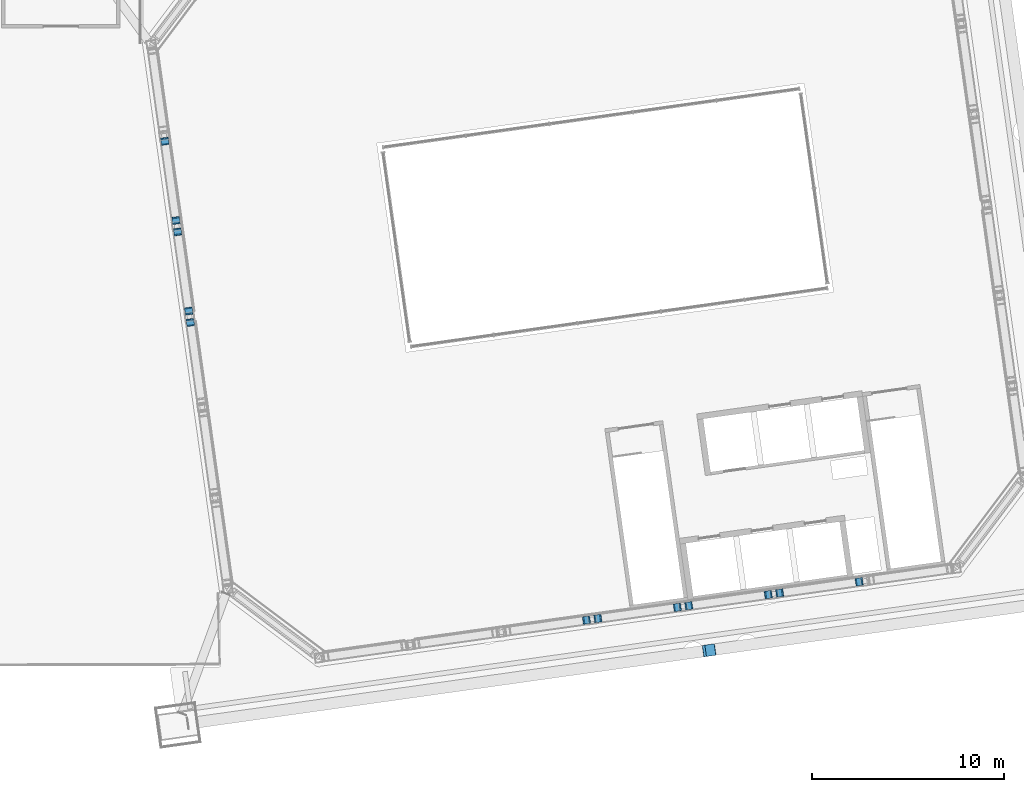
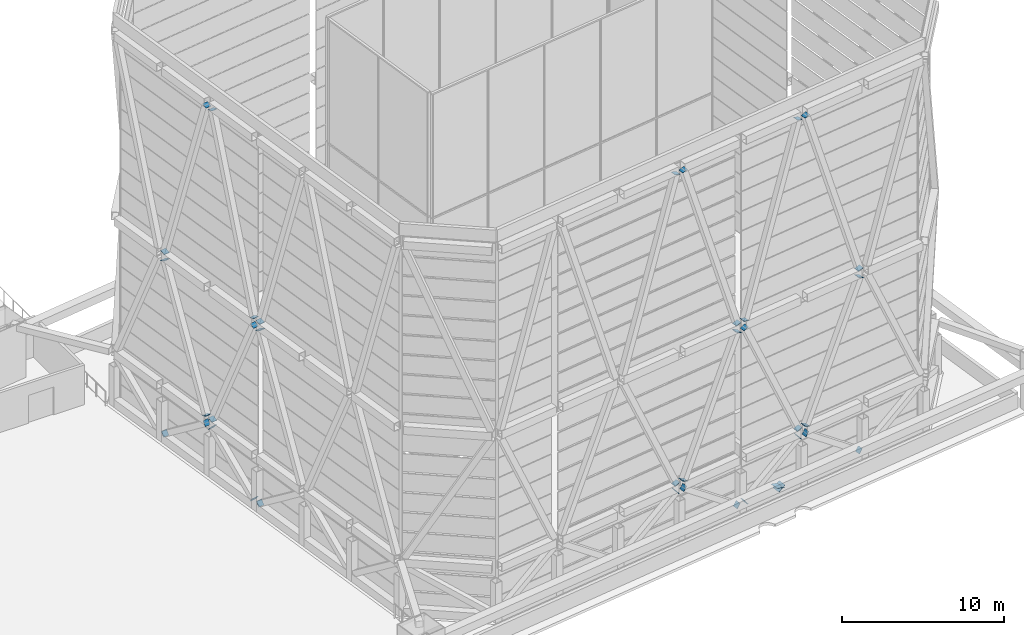
# One storey, part 37 of 45: 38 discrete accessories.
"""IFC4 building model written with IfcOpenShell, lengths in metres."""

from ifc_helpers import new_model, si_unit, direction, frame, origin, origin_2d, place, context, subcontext, project, spatial, rectangle, extrude, material, material_profile, profile_set, type_object, element, save


model = new_model("IFC4")

# Units and contexts
model_context = context("Model", 3, precision=1e-05, world=origin(), true_north=direction((0.0, 1.0)))
body_context = subcontext(model_context, "Body", "Model", "MODEL_VIEW")
ifc_project = project(units=[si_unit("LENGTHUNIT", "METRE"), si_unit("AREAUNIT", "SQUARE_METRE"), si_unit("VOLUMEUNIT", "CUBIC_METRE"), si_unit("PLANEANGLEUNIT", "RADIAN"), si_unit("MASSUNIT", "GRAM", prefix="KILO")], contexts=[model_context])

# Site, building, storey
site_placement = place(None, origin())
site = spatial("IfcSite", under=ifc_project, at=site_placement, CompositionType="ELEMENT")
building_placement = place(site_placement, origin())
building = spatial("IfcBuilding", under=site, at=building_placement, Name="Mirante Cascada Hotel Towers", CompositionType="ELEMENT")
storey_placement = place(building_placement, frame((0.0, 0.0, 269.8)))
storey = spatial("IfcBuildingStorey", under=building, at=storey_placement, Name="Roof garden", CompositionType="ELEMENT", Elevation=269.8)

# Discrete accessories
ifc_material_1 = material(Name="Steel ASTM A572 Gr 50", Category="steel")
ifc_material_profile_1 = material_profile(ifc_material_1, rectangle(XDim=0.4, YDim=0.4, at=origin_2d()), Name="Connection plate 400x400x25 ASTM A572 Gr 50")
ifc_profile_set_1 = profile_set([ifc_material_profile_1], Name="Steel ASTM A572 Gr 50")
discrete_accessory_type_1 = type_object("IfcDiscreteAccessoryType", Name="Connection plate 400x400x25 ASTM A572 Gr 50", PredefinedType="BRACKET", material=ifc_profile_set_1)
discrete_accessory_1_placement = place(storey_placement, frame((14.7554, -4.4353, 0.5925), z_axis=(0.107716, -0.7939068, 0.5984222), x_axis=(0.9909208, 0.1344465, 0.0)))
element("IfcDiscreteAccessory", 1, at=discrete_accessory_1_placement, inside=storey, type_object=discrete_accessory_type_1, Name="Connection plate HT-D", PredefinedType="BRACKET", context=body_context, shape_type="SweptSolid", body=[
    extrude(rectangle(XDim=0.4, YDim=0.4, at=origin_2d()), origin(), (0.0, 0.0, 1.0), 0.0251),
])
discrete_accessory_2_placement = place(storey_placement, frame((14.6746, -3.861, 0.5925), z_axis=(-0.1080579, 0.7924249, 0.6003219), x_axis=(-0.9908302, -0.1351132, 0.0)))
element("IfcDiscreteAccessory", 2, at=discrete_accessory_2_placement, inside=storey, type_object=discrete_accessory_type_1, Name="Connection plate HT-D", PredefinedType="BRACKET", context=body_context, shape_type="SweptSolid", body=[
    extrude(rectangle(XDim=0.4, YDim=0.4, at=origin_2d()), origin(), (0.0, 0.0, 1.0), 0.025),
])
discrete_accessory_3_placement = place(storey_placement, frame((14.0941, 0.2696, 3.6925), z_axis=(-0.1116566, 0.7935596, 0.5981605), x_axis=(-0.9902459, -0.1393311, 0.0)))
element("IfcDiscreteAccessory", 3, at=discrete_accessory_3_placement, inside=storey, type_object=discrete_accessory_type_1, Name="Connection plate HT-D", PredefinedType="BRACKET", context=body_context, shape_type="SweptSolid", body=[
    extrude(rectangle(XDim=0.4, YDim=0.4, at=origin_2d()), origin(), (0.0, 0.0, 1.0), 0.0251),
])
discrete_accessory_4_placement = place(storey_placement, frame((13.4273, 5.0142, 0.5925), z_axis=(0.1120108, -0.792076, 0.6000576), x_axis=(0.9901485, 0.140021, 0.0)))
element("IfcDiscreteAccessory", 4, at=discrete_accessory_4_placement, inside=storey, type_object=discrete_accessory_type_1, Name="Connection plate HT-D", PredefinedType="BRACKET", context=body_context, shape_type="SweptSolid", body=[
    extrude(rectangle(XDim=0.4, YDim=0.4, at=origin_2d()), origin(), (0.0, 0.0, 1.0), 0.025),
])
discrete_accessory_5_placement = place(storey_placement, frame((14.0078, 0.8836, 3.6925), z_axis=(0.1116566, -0.7935596, 0.5981605), x_axis=(0.9902459, 0.1393311, 0.0)))
element("IfcDiscreteAccessory", 5, at=discrete_accessory_5_placement, inside=storey, type_object=discrete_accessory_type_1, Name="Connection plate HT-D", PredefinedType="BRACKET", context=body_context, shape_type="SweptSolid", body=[
    extrude(rectangle(XDim=0.4, YDim=0.4, at=origin_2d()), origin(), (0.0, 0.0, 1.0), 0.0251),
])
for number, where, z_axis, x_axis, name in (
    (6, (49.6501, -17.9707, 0.5926), (-0.7973471, -0.1121895, 0.5930018), (0.1393311, -0.9902459, 0.0), "Connection plate HT-D"),
    (7, (45.5033, -18.5534, 3.6926), (-0.7973471, -0.1121895, 0.5930018), (0.1393311, -0.9902459, 0.0), "Connection plate HT-D"),
    (8, (40.7425, -19.2225, 0.5926), (0.7973471, 0.1121895, 0.5930018), (-0.1393311, 0.9902459, 0.0), "Connection plate HT-D"),
):
    element("IfcDiscreteAccessory", number, at=place(storey_placement, frame(where, z_axis=z_axis, x_axis=x_axis)), inside=storey, type_object=discrete_accessory_type_1, Name=name, PredefinedType="BRACKET", context=body_context, shape_type="SweptSolid", body=[
        extrude(rectangle(XDim=0.4, YDim=0.4, at=origin_2d()), origin(), (0.0, 0.0, 1.0), 0.025),
    ])
discrete_accessory_6_placement = place(storey_placement, frame((44.8893, -18.6397, 3.6926), z_axis=(0.7976993, 0.1082306, 0.5932638), x_axis=(-0.1344465, 0.9909208, 0.0)))
element("IfcDiscreteAccessory", 9, at=discrete_accessory_6_placement, inside=storey, type_object=discrete_accessory_type_1, Name="Connection plate HT-D", PredefinedType="BRACKET", context=body_context, shape_type="SweptSolid", body=[
    extrude(rectangle(XDim=0.4, YDim=0.4, at=origin_2d()), origin(), (0.0, 0.0, 1.0), 0.0249),
])
for number, where, z_axis, x_axis, name in (
    (10, (40.1683, -19.3032, 0.5926), (-0.7973471, -0.1121895, 0.5930018), (0.1393311, -0.9902459, 0.0), "Connection plate HT-D"),
    (11, (36.0216, -19.886, 3.6926), (-0.7973471, -0.1121895, 0.5930018), (0.1393311, -0.9902459, 0.0), "Connection plate HT-D"),
    (12, (35.4075, -19.9723, 3.6926), (0.7973471, 0.1121895, 0.5930018), (-0.1393311, 0.9902459, 0.0), "Connection plate HT-D"),
    (13, (14.7575, -4.4503, 13.6886), (-0.0600432, 0.4042912, 0.9126574), (-0.9891508, -0.1469036, 0.0), "Connection plate CF-B"),
):
    element("IfcDiscreteAccessory", number, at=place(storey_placement, frame(where, z_axis=z_axis, x_axis=x_axis)), inside=storey, type_object=discrete_accessory_type_1, Name=name, PredefinedType="BRACKET", context=body_context, shape_type="SweptSolid", body=[
        extrude(rectangle(XDim=0.4, YDim=0.4, at=origin_2d()), origin(), (0.0, 0.0, 1.0), 0.025),
    ])
for number, where, z_axis, x_axis, name in (
    (14, (14.092, 0.2845, 4.2886), (0.0561439, -0.4010279, 0.9143437), (0.9903417, 0.1386478, 0.0), "Connection plate CF-B"),
    (15, (14.6725, -3.8461, 13.6886), (0.0601402, -0.4009345, 0.9141306), (0.9889364, 0.1483405, 0.0), "Connection plate CF-B"),
    (16, (14.0099, 0.8687, 4.2886), (-0.0561439, 0.4010279, 0.9143437), (-0.9903417, -0.1386478, 0.0), "Connection plate CF-B"),
    (17, (13.4294, 4.9993, 13.6886), (-0.0561439, 0.4010279, 0.9143437), (-0.9903417, -0.1386478, 0.0), "Connection plate CF-B"),
    (18, (45.4884, -18.5556, 4.2886), (0.4009345, 0.0601402, 0.9141306), (-0.1483405, 0.9889364, 0.0), "Connection plate CF-B"),
):
    element("IfcDiscreteAccessory", number, at=place(storey_placement, frame(where, z_axis=z_axis, x_axis=x_axis)), inside=storey, type_object=discrete_accessory_type_1, Name=name, PredefinedType="BRACKET", context=body_context, shape_type="SweptSolid", body=[
        extrude(rectangle(XDim=0.4, YDim=0.4, at=origin_2d()), origin(), (0.0, 0.0, 1.0), 0.0249),
    ])
for number, where, z_axis, x_axis, name in (
    (19, (49.6351, -17.9728, 13.6886), (0.4043852, 0.0560534, 0.9128695), (-0.1373011, 0.9905294, 0.0), "Connection plate CF-B"),
    (20, (44.9043, -18.6376, 4.2886), (-0.4042912, -0.0600432, 0.9126574), (0.1469036, -0.9891508, 0.0), "Connection plate CF-B"),
):
    element("IfcDiscreteAccessory", number, at=place(storey_placement, frame(where, z_axis=z_axis, x_axis=x_axis)), inside=storey, type_object=discrete_accessory_type_1, Name=name, PredefinedType="BRACKET", context=body_context, shape_type="SweptSolid", body=[
        extrude(rectangle(XDim=0.4, YDim=0.4, at=origin_2d()), origin(), (0.0, 0.0, 1.0), 0.025),
    ])
for number, where, z_axis, x_axis, name in (
    (21, (40.7575, -19.2204, 13.6886), (-0.4010279, -0.0561439, 0.9143437), (0.1386478, -0.9903417, 0.0), "Connection plate CF-B"),
    (22, (36.0066, -19.8881, 4.2886), (0.4010279, 0.0561439, 0.9143437), (-0.1386478, 0.9903417, 0.0), "Connection plate CF-B"),
):
    element("IfcDiscreteAccessory", number, at=place(storey_placement, frame(where, z_axis=z_axis, x_axis=x_axis)), inside=storey, type_object=discrete_accessory_type_1, Name=name, PredefinedType="BRACKET", context=body_context, shape_type="SweptSolid", body=[
        extrude(rectangle(XDim=0.4, YDim=0.4, at=origin_2d()), origin(), (0.0, 0.0, 1.0), 0.0249),
    ])
for number, where, z_axis, x_axis, name in (
    (23, (40.1533, -19.3053, 13.6886), (0.4043852, 0.0560534, 0.9128695), (-0.1373011, 0.9905294, 0.0), "Connection plate CF-B"),
    (24, (35.4225, -19.9702, 4.2886), (-0.4043852, -0.0560534, 0.9128695), (0.1373011, -0.9905294, 0.0), "Connection plate CF-B"),
):
    element("IfcDiscreteAccessory", number, at=place(storey_placement, frame(where, z_axis=z_axis, x_axis=x_axis)), inside=storey, type_object=discrete_accessory_type_1, Name=name, PredefinedType="BRACKET", context=body_context, shape_type="SweptSolid", body=[
        extrude(rectangle(XDim=0.4, YDim=0.4, at=origin_2d()), origin(), (0.0, 0.0, 1.0), 0.025),
    ])
for number, where, z_axis, x_axis, name in (
    (25, (14.7562, -4.4416, 14.2881), (0.0441436, -0.2929531, 0.9551072), (0.9888368, 0.1490028, 0.0), "Connection plate CF-B"),
    (26, (14.6738, -3.8548, 14.2881), (-0.0440915, 0.2966152, 0.9539787), (-0.9891316, -0.1470331, 0.0), "Connection plate CF-B"),
    (27, (14.0932, 0.2758, 27.6381), (-0.0400899, 0.2966653, 0.9541397), (-0.9909924, -0.1339179, 0.0), "Connection plate CF-B"),
    (28, (13.4282, 5.008, 14.2881), (0.0400899, -0.2966653, 0.9541397), (0.9909924, 0.1339179, 0.0), "Connection plate CF-B"),
    (29, (14.0087, 0.8774, 27.6381), (0.0400899, -0.2966653, 0.9541397), (0.9909924, 0.1339179, 0.0), "Connection plate CF-B"),
    (30, (49.6438, -17.9715, 14.2881), (-0.2966152, -0.0440915, 0.9539787), (0.1470331, -0.9891316, 0.0), "Connection plate CF-B"),
    (31, (45.4971, -18.5543, 27.6381), (-0.2966152, -0.0440915, 0.9539787), (0.1470331, -0.9891316, 0.0), "Connection plate CF-B"),
    (32, (40.7488, -19.2217, 14.2881), (0.2966152, 0.0440915, 0.9539787), (-0.1470331, 0.9891316, 0.0), "Connection plate CF-B"),
    (33, (44.8955, -18.6389, 27.6381), (0.2966152, 0.0440915, 0.9539787), (-0.1470331, 0.9891316, 0.0), "Connection plate CF-B"),
    (34, (40.162, -19.3041, 14.2881), (-0.2966152, -0.0440915, 0.9539787), (0.1470331, -0.9891316, 0.0), "Connection plate CF-B"),
    (35, (36.0153, -19.8869, 27.6381), (-0.2966653, -0.0400899, 0.9541397), (0.1339179, -0.9909924, 0.0), "Connection plate CF-B"),
    (36, (35.4137, -19.9715, 27.6381), (0.2966152, 0.0440915, 0.9539787), (-0.1470331, 0.9891316, 0.0), "Connection plate CF-B"),
):
    element("IfcDiscreteAccessory", number, at=place(storey_placement, frame(where, z_axis=z_axis, x_axis=x_axis)), inside=storey, type_object=discrete_accessory_type_1, Name=name, PredefinedType="BRACKET", context=body_context, shape_type="SweptSolid", body=[
        extrude(rectangle(XDim=0.4, YDim=0.4, at=origin_2d()), origin(), (0.0, 0.0, 1.0), 0.0249),
    ])
ifc_material_2 = material(Name="Steel ASTM A572 Gr 50", Category="steel")
ifc_material_profile_2 = material_profile(ifc_material_2, rectangle(XDim=0.6, YDim=0.6, at=origin_2d()), Name="Connection plate 600x600x25 ASTM A572 Gr 50")
ifc_profile_set_2 = profile_set([ifc_material_profile_2], Name="Steel ASTM A572 Gr 50")
discrete_accessory_type_2 = type_object("IfcDiscreteAccessoryType", Name="Connection plate 600x600x25 ASTM A572 Gr 50", PredefinedType="BRACKET", material=ifc_profile_set_2)
for number, where, z_axis, x_axis, name in (
    (37, (41.7823, -21.5505, 2.8098), (0.2602354, 0.0360326, 0.9648726), (-0.1371531, 0.9905499, 0.0), "Connection plate MB-RL50L"),
    (38, (41.8915, -21.5351, 2.7211), (-0.5556889, -0.0799552, 0.8275367), (0.1424182, -0.9898066, 0.0), "Connection plate MB-RL50R"),
):
    element("IfcDiscreteAccessory", number, at=place(storey_placement, frame(where, z_axis=z_axis, x_axis=x_axis)), inside=storey, type_object=discrete_accessory_type_2, Name=name, PredefinedType="BRACKET", context=body_context, shape_type="SweptSolid", body=[
        extrude(rectangle(XDim=0.6, YDim=0.6, at=origin_2d()), origin(), (0.0, 0.0, 1.0), 0.025),
    ])

save(model, "model.ifc")
